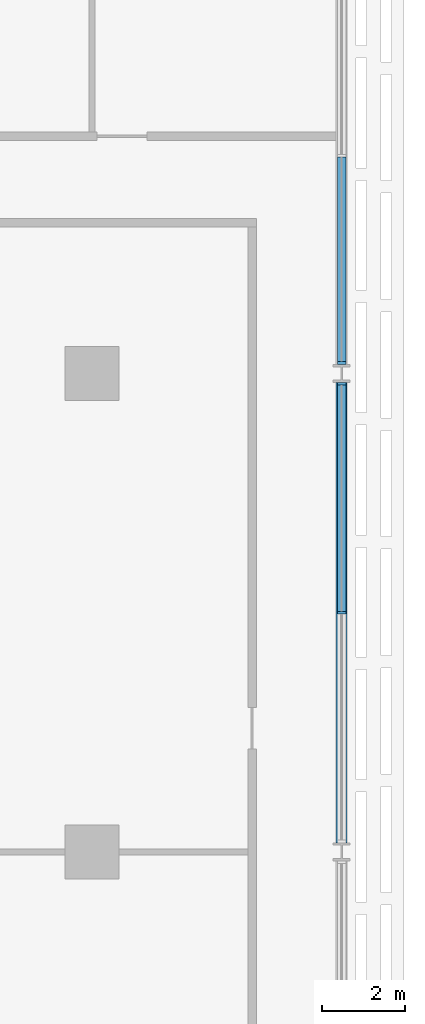
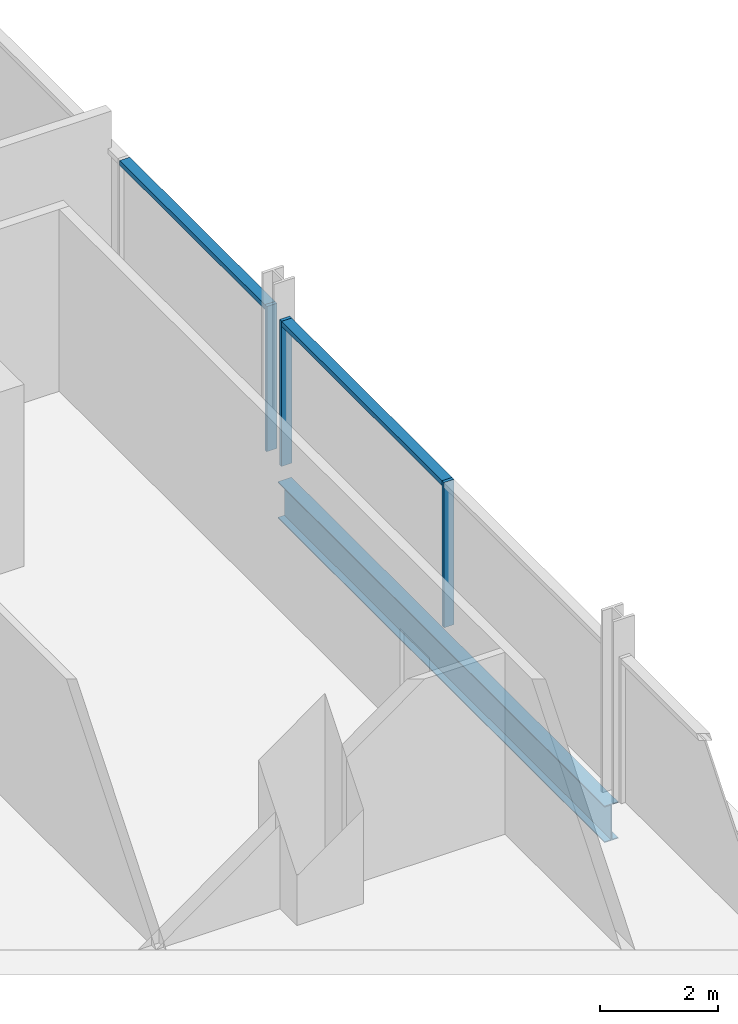
# One storey, part 9 of 28: 5 members, 1 beam, 2 elements without a shape of their own.
"""IFC4 building model written with IfcOpenShell, lengths in metres."""

from ifc_helpers import new_model, si_unit, direction, frame, origin, origin_2d, place, context, subcontext, project, spatial, rectangle, i_section, extrude, material, material_profile, profile_set, type_object, element, aggregate, save


model = new_model("IFC4")

# Units and contexts
model_context = context("Model", 3, precision=1e-05, world=origin(), true_north=direction((0.0, 1.0)))
body_context = subcontext(model_context, "Body", "Model", "MODEL_VIEW")
ifc_project = project(units=[si_unit("LENGTHUNIT", "METRE"), si_unit("AREAUNIT", "SQUARE_METRE"), si_unit("VOLUMEUNIT", "CUBIC_METRE"), si_unit("PLANEANGLEUNIT", "RADIAN"), si_unit("MASSUNIT", "GRAM", prefix="KILO")], contexts=[model_context])

# Site, building, storey
site_placement = place(None, origin())
site = spatial("IfcSite", under=ifc_project, at=site_placement, CompositionType="ELEMENT")
building_placement = place(site_placement, origin())
building = spatial("IfcBuilding", under=site, at=building_placement, Name="Mahtab Terrace Research Tower", CompositionType="ELEMENT")
storey_placement = place(building_placement, frame((0.0, 0.0, 130.199951171875)))
storey = spatial("IfcBuildingStorey", under=building, at=storey_placement, Name="L30", CompositionType="ELEMENT", Elevation=130.199951171875)

# Curtain wall, members
ifc_material_1 = material(Name="Laboratory ribbon curtain wall")
curtain_wall_type = type_object("IfcCurtainWallType", Name="Laboratory ribbon curtain wall", PredefinedType="NOTDEFINED", material=ifc_material_1)
curtain_wall_1_placement = place(storey_placement, origin())
curtain_wall_1 = element("IfcCurtainWall", 1, at=curtain_wall_1_placement, inside=storey, type_object=curtain_wall_type, Name="EN.L30.18.37", PredefinedType="NOTDEFINED")
ifc_material_2 = material(Name="Natural anodised aluminium", Category="aluminium")
ifc_material_profile_1 = material_profile(ifc_material_2, rectangle(XDim=0.199951171875, YDim=0.06494140625, at=origin_2d()), Name="MULLION 65x200")
ifc_profile_set_1 = profile_set([ifc_material_profile_1], Name="Natural anodised aluminium")
member_type_1 = type_object("IfcMemberType", Name="Laboratory ribbon curtain wall mullion", PredefinedType="MULLION", material=ifc_profile_set_1)
member_1_placement = place(storey_placement, frame((48.0, 5.75, 0.0), z_axis=(0.0, 0.0, 1.0), x_axis=(-1.0, 0.0, 0.0)))
member_1 = element("IfcMember", 2, at=member_1_placement, type_object=member_type_1, Name="CWL-4 mullion 2", PredefinedType="MULLION", context=body_context, shape_type="SweptSolid", body=[
    extrude(rectangle(XDim=0.199951171875, YDim=0.06494140625, at=origin_2d()), origin(), (0.0, 0.0, 1.0), 3.003173828125),
])
member_2_placement = place(storey_placement, frame((48.0, 11.24951171875, 0.0), z_axis=(0.0, 0.0, 1.0), x_axis=(-1.0, 0.0, 0.0)))
member_2 = element("IfcMember", 3, at=member_2_placement, type_object=member_type_1, Name="CWL-4 mullion 3", PredefinedType="MULLION", context=body_context, shape_type="SweptSolid", body=[
    extrude(rectangle(XDim=0.199951171875, YDim=0.06494140625, at=origin_2d()), origin(), (0.0, 0.0, 1.0), 3.003173828125),
])

# Curtain wall, member
curtain_wall_2_placement = place(storey_placement, origin())
curtain_wall_2 = element("IfcCurtainWall", 4, at=curtain_wall_2_placement, inside=storey, type_object=curtain_wall_type, Name="EN.L30.18.38", PredefinedType="NOTDEFINED")
member_3_placement = place(storey_placement, frame((48.0, 11.75048828125, 0.0), z_axis=(0.0, 0.0, 1.0), x_axis=(-1.0, 0.0, 0.0)))
member_3 = element("IfcMember", 5, at=member_3_placement, type_object=member_type_1, Name="CWL-4 mullion 1", PredefinedType="MULLION", context=body_context, shape_type="SweptSolid", body=[
    extrude(rectangle(XDim=0.199951171875, YDim=0.06494140625, at=origin_2d()), origin(), (0.0, 0.0, 1.0), 3.003173828125),
])

# Member
ifc_material_profile_2 = material_profile(ifc_material_2, rectangle(XDim=0.199951171875, YDim=0.10009765625, at=origin_2d()), Name="TRANSOM 100x200")
ifc_profile_set_2 = profile_set([ifc_material_profile_2], Name="Natural anodised aluminium")
member_type_2 = type_object("IfcMemberType", Name="Laboratory ribbon curtain wall transom", PredefinedType="USERDEFINED", material=ifc_profile_set_2)
member_4_placement = place(storey_placement, frame((48.0, 5.782470703125, 2.953125), z_axis=(0.0, 1.0, 0.0), x_axis=(-1.0, 0.0, 0.0)))
member_4 = element("IfcMember", 6, at=member_4_placement, type_object=member_type_2, Name="CWL-4 transom 2", ObjectType="TRANSOM", PredefinedType="USERDEFINED", context=body_context, shape_type="SweptSolid", body=[
    extrude(rectangle(XDim=0.199951171875, YDim=0.10009765625, at=origin_2d()), origin(), (0.0, 0.0, 1.0), 5.4345703125),
])

aggregate(curtain_wall_1, [member_1, member_2, member_4])

member_5_placement = place(storey_placement, frame((48.0, 11.782958984375, 2.953125), z_axis=(0.0, 1.0, 0.0), x_axis=(-1.0, 0.0, 0.0)))
member_5 = element("IfcMember", 7, at=member_5_placement, type_object=member_type_2, Name="CWL-4 transom 1", ObjectType="TRANSOM", PredefinedType="USERDEFINED", context=body_context, shape_type="SweptSolid", body=[
    extrude(rectangle(XDim=0.199951171875, YDim=0.10009765625, at=origin_2d()), origin(), (0.0, 0.0, 1.0), 4.91552734375),
])

aggregate(curtain_wall_2, [member_3, member_5])

# Beam
ifc_material_3 = material(Name="Steel ASTM A992 Gr 50", Category="steel")
ifc_material_profile_3 = material_profile(ifc_material_3, i_section(OverallWidth=0.2666015625, OverallDepth=0.7568359375, WebThickness=0.013916015625, FlangeThickness=0.019287109375, at=origin_2d()), Name="W30X108")
ifc_profile_set_3 = profile_set([ifc_material_profile_3], Name="Steel ASTM A992 Gr 50")
beam_type = type_object("IfcBeamType", Name="W30x108 beam BS30108", PredefinedType="BEAM", material=ifc_profile_set_3)
beam_placement = place(storey_placement, frame((48.0, 0.217041015625, -0.718505859375), z_axis=(0.0, 1.0, 0.0), x_axis=(-1.0, 0.0, 0.0)))
element("IfcBeam", 8, at=beam_placement, inside=storey, type_object=beam_type, Name="Spandrel beam L30 23", PredefinedType="BEAM", context=body_context, shape_type="SweptSolid", body=[
    extrude(i_section(OverallWidth=0.2666015625, OverallDepth=0.7568359375, WebThickness=0.013916015625, FlangeThickness=0.019287109375, at=origin_2d()), origin(), (0.0, 0.0, 1.0), 11.06591796875),
])

save(model, "model.ifc")
